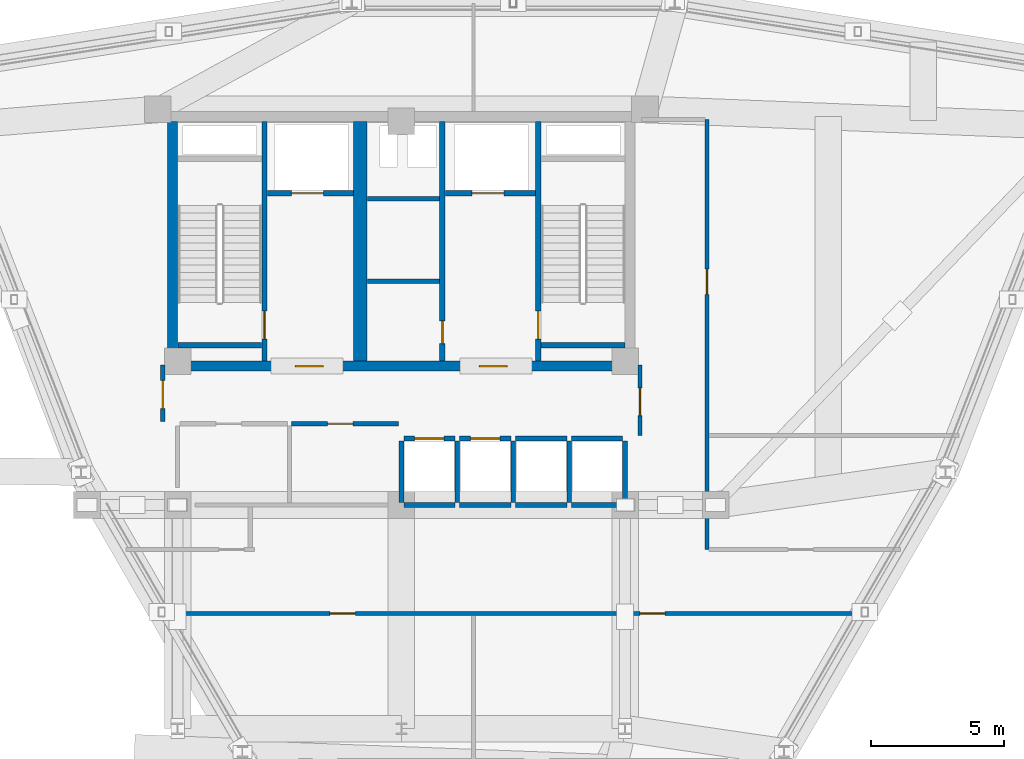
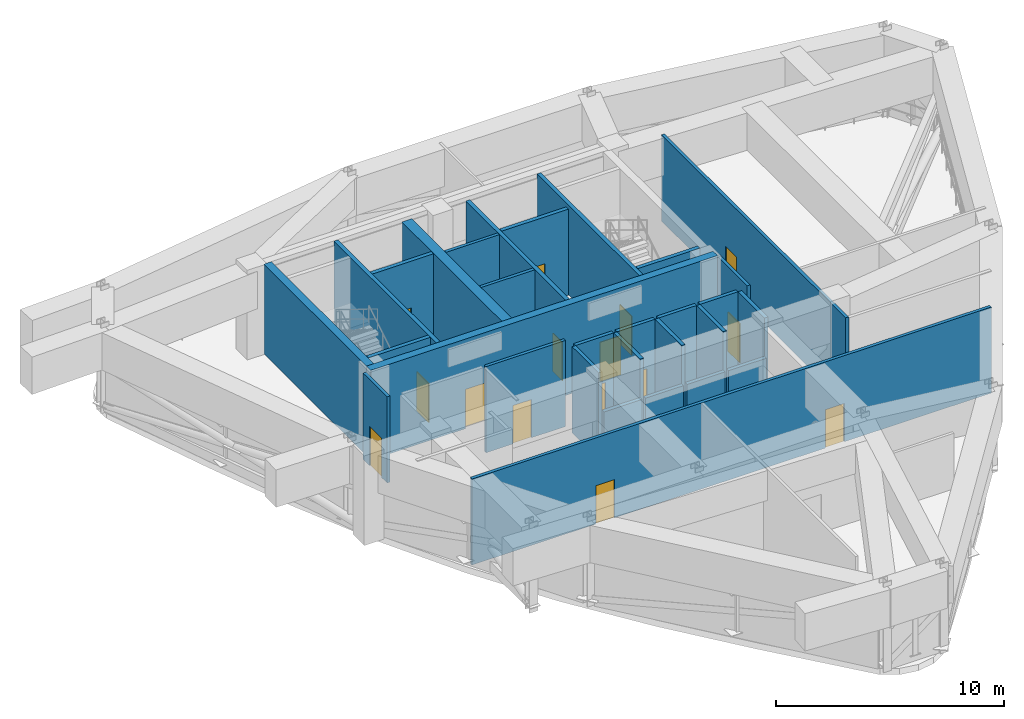
# One storey, part 8 of 11: 30 walls, 15 doors, 15 openings.
"""IFC4 building model written with IfcOpenShell, lengths in metres."""

from ifc_helpers import new_model, si_unit, derived_unit, direction, frame, frame_2d, origin, place, context, subcontext, project, spatial, rectangle, extrude, material, layer, layer_set, type_object, element, fill, save


model = new_model("IFC4")

# Units and contexts
model_context = context("Model", 3, precision=1e-05, world=origin(), true_north=direction((0.0, 1.0)))
body_context = subcontext(model_context, "Body", "Model", "MODEL_VIEW")
ifc_project = project(units=[si_unit("LENGTHUNIT", "METRE"), si_unit("AREAUNIT", "SQUARE_METRE"), si_unit("VOLUMEUNIT", "CUBIC_METRE"), si_unit("PLANEANGLEUNIT", "RADIAN"), si_unit("MASSUNIT", "GRAM", prefix="KILO"), derived_unit("THERMALTRANSMITTANCEUNIT", [(si_unit("POWERUNIT", "WATT"), 1), (si_unit("LENGTHUNIT", "METRE"), -2), (si_unit("THERMODYNAMICTEMPERATUREUNIT", "KELVIN"), -1)])], contexts=[model_context])

# Site, building, storey
site_placement = place(None, origin())
site = spatial("IfcSite", under=ifc_project, at=site_placement, CompositionType="ELEMENT")
building_placement = place(site_placement, origin())
building = spatial("IfcBuilding", under=site, at=building_placement, Name="Korsvarv Bourse and Concert Hall", CompositionType="ELEMENT")
storey_placement = place(building_placement, frame((0.0, 0.0, 238.199951171875)))
storey = spatial("IfcBuildingStorey", under=building, at=storey_placement, Name="L62", CompositionType="ELEMENT", Elevation=238.199951171875)

# Wall, openings, doors
ifc_material_1 = material(Name="Concrete C50/60", Category="concrete")
ifc_layer_1 = layer(ifc_material_1, 0.3798828125)
ifc_layer_set_1 = layer_set([ifc_layer_1], Name="Concrete C50/60")
wall_type_1 = type_object("IfcWallType", Name="WL-CORE-380", PredefinedType="SHEAR", material=ifc_layer_set_1)
wall_1_placement = place(storey_placement, frame((27.219970703125, 37.610107421875, 0.0), z_axis=(0.0, 0.0, 1.0), x_axis=(1.0, 0.0, 0.0)))
wall_1 = element("IfcWall", 1, at=wall_1_placement, inside=storey, type_object=wall_type_1, Name="L62 South Core Shear Wall", PredefinedType="SHEAR", context=body_context, shape_type="SweptSolid", body=[
    extrude(rectangle(XDim=17.56005859375, YDim=0.3798828125, at=frame_2d((8.780029296875, 0.0))), origin(), (0.0, 0.0, 1.0), 4.800048828125),
])
opening_1_placement = place(wall_1_placement, frame((4.804931640625, 0.0, 0.0)))
opening_1 = element("IfcOpeningElement", 2, at=opening_1_placement, cuts=wall_1, Name="Opening D-01", PredefinedType="OPENING", context=body_context, shape_type="SweptSolid", body=[
    extrude(rectangle(XDim=1.050048828125, YDim=2.10009765625, at=frame_2d((0.52490234375, 1.050048828125))), frame((0.0, 0.199951171875, 0.0), z_axis=(0.0, -1.0, 0.0), x_axis=(1.0, 0.0, 0.0)), (0.0, 0.0, 1.0), 0.39990234375),
])
opening_2_placement = place(wall_1_placement, frame((11.705078125, 0.0, 0.0)))
opening_2 = element("IfcOpeningElement", 3, at=opening_2_placement, cuts=wall_1, Name="Opening D-01", PredefinedType="OPENING", context=body_context, shape_type="SweptSolid", body=[
    extrude(rectangle(XDim=1.050048828125, YDim=2.10009765625, at=frame_2d((0.52490234375, 1.050048828125))), frame((0.0, 0.199951171875, 0.0), z_axis=(0.0, -1.0, 0.0), x_axis=(1.0, 0.0, 0.0)), (0.0, 0.0, 1.0), 0.39990234375),
])
ifc_material_2 = material(Name="Steel S355 fire door", Category="steel")
door_type_1 = type_object("IfcDoorType", Name="DR-FD60", OperationType="NOTDEFINED", PredefinedType="DOOR", material=ifc_material_2)
door_1_placement = place(opening_1_placement, frame((1.050048828125, 0.0, 0.0), z_axis=(0.0, 0.0, 1.0), x_axis=(-1.0, 0.0, 0.0)))
door_1 = element("IfcDoor", 4, at=door_1_placement, inside=storey, type_object=door_type_1, Name="L62 firefighting lobby fire door DR-L62-FFLW", OperationType="SINGLE_SWING_RIGHT", OverallHeight=2.10009765625, OverallWidth=1.050048828125, PredefinedType="DOOR", context=body_context, shape_type="SweptSolid", body=[
    extrude(rectangle(XDim=1.050048828125, YDim=2.10009765625, at=frame_2d((0.52490234375, 1.050048828125))), frame((0.0, 0.02490234375, 0.0), z_axis=(0.0, -1.0, 0.0), x_axis=(1.0, 0.0, 0.0)), (0.0, 0.0, 1.0), 0.050048828125),
])
fill(opening_1, door_1)
door_2_placement = place(opening_2_placement, frame((1.050048828125, 0.0, 0.0), z_axis=(0.0, 0.0, 1.0), x_axis=(-1.0, 0.0, 0.0)))
door_2 = element("IfcDoor", 5, at=door_2_placement, inside=storey, type_object=door_type_1, Name="L62 firefighting lobby fire door DR-L62-FFLE", OperationType="SINGLE_SWING_LEFT", OverallHeight=2.10009765625, OverallWidth=1.050048828125, PredefinedType="DOOR", context=body_context, shape_type="SweptSolid", body=[
    extrude(rectangle(XDim=1.050048828125, YDim=2.10009765625, at=frame_2d((0.52490234375, 1.050048828125))), frame((0.0, 0.02490234375, 0.0), z_axis=(0.0, -1.0, 0.0), x_axis=(1.0, 0.0, 0.0)), (0.0, 0.0, 1.0), 0.050048828125),
])
fill(opening_2, door_2)

# Wall
wall_2_placement = place(storey_placement, frame((27.409912109375, 37.800048828125, 0.0), z_axis=(0.0, 0.0, 1.0), x_axis=(0.0, 1.0, 0.0)))
element("IfcWall", 6, at=wall_2_placement, inside=storey, type_object=wall_type_1, Name="L62 West Core Shear Wall", PredefinedType="SHEAR", context=body_context, shape_type="SweptSolid", body=[
    extrude(rectangle(XDim=9.0, YDim=0.3798828125, at=frame_2d((4.5, 0.0))), origin(), (0.0, 0.0, 1.0), 4.800048828125),
])

# Wall, opening, door
wall_3_placement = place(storey_placement, frame((30.860107421875, 37.81005859375, 0.0), z_axis=(0.0, 0.0, 1.0), x_axis=(0.0, 1.0, 0.0)))
wall_3 = element("IfcWall", 7, at=wall_3_placement, inside=storey, type_object=wall_type_1, Name="L62 stair shaft structural wall W-L62-ST1-E", PredefinedType="SHEAR", context=body_context, shape_type="SweptSolid", body=[
    extrude(rectangle(XDim=8.97998046875, YDim=0.199951171875, at=frame_2d((4.489990234375, 0.0))), origin(), (0.0, 0.0, 1.0), 4.800048828125),
])
opening_3_placement = place(wall_3_placement, frame((0.820068359375, 0.0, 0.0)))
opening_3 = element("IfcOpeningElement", 8, at=opening_3_placement, cuts=wall_3, Name="Opening D-01", PredefinedType="OPENING", context=body_context, shape_type="SweptSolid", body=[
    extrude(rectangle(XDim=1.050048828125, YDim=2.10009765625, at=frame_2d((0.52490234375, 1.050048828125))), frame((0.0, 0.10986328125, 0.0), z_axis=(0.0, -1.0, 0.0), x_axis=(1.0, 0.0, 0.0)), (0.0, 0.0, 1.0), 0.219970703125),
])
door_3_placement = place(opening_3_placement, origin())
door_3 = element("IfcDoor", 9, at=door_3_placement, inside=storey, type_object=door_type_1, Name="L62 interior door DR-L62-ST1", OperationType="SINGLE_SWING_RIGHT", OverallHeight=2.10009765625, OverallWidth=1.050048828125, PredefinedType="DOOR", context=body_context, shape_type="SweptSolid", body=[
    extrude(rectangle(XDim=1.050048828125, YDim=2.10009765625, at=frame_2d((0.52490234375, 1.050048828125))), frame((0.0, 0.02490234375, 0.0), z_axis=(0.0, -1.0, 0.0), x_axis=(1.0, 0.0, 0.0)), (0.0, 0.0, 1.0), 0.050048828125),
])
fill(opening_3, door_3)

# Wall
wall_4_placement = place(storey_placement, frame((27.610107421875, 38.39990234375, 0.0), z_axis=(0.0, 0.0, 1.0), x_axis=(1.0, 0.0, 0.0)))
element("IfcWall", 10, at=wall_4_placement, inside=storey, type_object=wall_type_1, Name="L62 stair shaft structural wall W-L62-ST1-S", PredefinedType="SHEAR", context=body_context, shape_type="SweptSolid", body=[
    extrude(rectangle(XDim=3.139892578125, YDim=0.199951171875, at=frame_2d((1.56982421875, 0.0))), origin(), (0.0, 0.0, 1.0), 4.800048828125),
])

# Wall, opening, door
wall_5_placement = place(storey_placement, frame((41.139892578125, 37.81005859375, 0.0), z_axis=(0.0, 0.0, 1.0), x_axis=(0.0, 1.0, 0.0)))
wall_5 = element("IfcWall", 11, at=wall_5_placement, inside=storey, type_object=wall_type_1, Name="L62 stair shaft structural wall W-L62-ST2-W", PredefinedType="SHEAR", context=body_context, shape_type="SweptSolid", body=[
    extrude(rectangle(XDim=8.97998046875, YDim=0.199951171875, at=frame_2d((4.489990234375, 0.0))), origin(), (0.0, 0.0, 1.0), 4.800048828125),
])
opening_4_placement = place(wall_5_placement, frame((0.820068359375, 0.0, 0.0)))
opening_4 = element("IfcOpeningElement", 12, at=opening_4_placement, cuts=wall_5, Name="Opening D-01", PredefinedType="OPENING", context=body_context, shape_type="SweptSolid", body=[
    extrude(rectangle(XDim=1.050048828125, YDim=2.10009765625, at=frame_2d((0.52490234375, 1.050048828125))), frame((0.0, 0.10986328125, 0.0), z_axis=(0.0, -1.0, 0.0), x_axis=(1.0, 0.0, 0.0)), (0.0, 0.0, 1.0), 0.219970703125),
])
door_4_placement = place(opening_4_placement, frame((1.050048828125, 0.0, 0.0), z_axis=(0.0, 0.0, 1.0), x_axis=(-1.0, 0.0, 0.0)))
door_4 = element("IfcDoor", 13, at=door_4_placement, inside=storey, type_object=door_type_1, Name="L62 interior door DR-L62-ST2", OperationType="SINGLE_SWING_LEFT", OverallHeight=2.10009765625, OverallWidth=1.050048828125, PredefinedType="DOOR", context=body_context, shape_type="SweptSolid", body=[
    extrude(rectangle(XDim=1.050048828125, YDim=2.10009765625, at=frame_2d((0.52490234375, 1.050048828125))), frame((0.0, 0.02490234375, 0.0), z_axis=(0.0, -1.0, 0.0), x_axis=(1.0, 0.0, 0.0)), (0.0, 0.0, 1.0), 0.050048828125),
])
fill(opening_4, door_4)

# Wall
wall_6_placement = place(storey_placement, frame((41.25, 38.39990234375, 0.0), z_axis=(0.0, 0.0, 1.0), x_axis=(1.0, 0.0, 0.0)))
element("IfcWall", 14, at=wall_6_placement, inside=storey, type_object=wall_type_1, Name="L62 stair shaft structural wall W-L62-ST2-S", PredefinedType="SHEAR", context=body_context, shape_type="SweptSolid", body=[
    extrude(rectangle(XDim=3.139892578125, YDim=0.199951171875, at=frame_2d((1.56982421875, 0.0))), origin(), (0.0, 0.0, 1.0), 4.800048828125),
])

# Wall, opening, door
ifc_material_3 = material(Name="Reinforced concrete blockwork C35/45 fire wall", Category="concrete")
ifc_layer_2 = layer(ifc_material_3, 0.199951171875)
ifc_layer_set_2 = layer_set([ifc_layer_2], Name="Reinforced concrete blockwork C35/45 fire wall")
wall_type_2 = type_object("IfcWallType", Name="WL-INT-EI120", PredefinedType="PARTITIONING", material=ifc_layer_set_2)
wall_7_placement = place(storey_placement, frame((30.969970703125, 44.10009765625, 0.0), z_axis=(0.0, 0.0, 1.0), x_axis=(1.0, 0.0, 0.0)))
wall_7 = element("IfcWall", 15, at=wall_7_placement, inside=storey, type_object=wall_type_2, Name="L62 interior partition wall W-L62-FF1-S", PredefinedType="PARTITIONING", context=body_context, shape_type="SweptSolid", body=[
    extrude(rectangle(XDim=3.22998046875, YDim=0.199951171875, at=frame_2d((1.614990234375, 0.0))), origin(), (0.0, 0.0, 1.0), 4.610107421875),
])
opening_5_placement = place(wall_7_placement, frame((0.89990234375, 0.0, 0.0)))
opening_5 = element("IfcOpeningElement", 16, at=opening_5_placement, cuts=wall_7, Name="Opening LD-1", PredefinedType="OPENING", context=body_context, shape_type="SweptSolid", body=[
    extrude(rectangle(XDim=1.199951171875, YDim=2.10009765625, at=frame_2d((0.60009765625, 1.050048828125))), frame((0.0, 0.10986328125, 0.0), z_axis=(0.0, -1.0, 0.0), x_axis=(1.0, 0.0, 0.0)), (0.0, 0.0, 1.0), 0.219970703125),
])
ifc_material_4 = material(Name="Stainless Steel S355 firefighting lift landing door", Category="steel")
door_type_2 = type_object("IfcDoorType", Name="DR-LIFT-FF", OperationType="DOUBLE_DOOR_SLIDING", PredefinedType="DOOR", material=ifc_material_4)
door_5_placement = place(opening_5_placement, origin())
door_5 = element("IfcDoor", 17, at=door_5_placement, inside=storey, type_object=door_type_2, Name="L62 lift sliding landing door LD-L62-FF1", OperationType="DOUBLE_DOOR_SLIDING", OverallHeight=2.10009765625, OverallWidth=1.199951171875, PredefinedType="DOOR", context=body_context, shape_type="SweptSolid", body=[
    extrude(rectangle(XDim=1.199951171875, YDim=2.10009765625, at=frame_2d((0.60009765625, 1.050048828125))), frame((0.0, 0.02490234375, 0.0), z_axis=(0.0, -1.0, 0.0), x_axis=(1.0, 0.0, 0.0)), (0.0, 0.0, 1.0), 0.050048828125),
])
fill(opening_5, door_5)

wall_8_placement = place(storey_placement, frame((37.64990234375, 44.10009765625, 0.0), z_axis=(0.0, 0.0, 1.0), x_axis=(1.0, 0.0, 0.0)))
wall_8 = element("IfcWall", 18, at=wall_8_placement, inside=storey, type_object=wall_type_2, Name="L62 interior partition wall W-L62-FF2-S", PredefinedType="PARTITIONING", context=body_context, shape_type="SweptSolid", body=[
    extrude(rectangle(XDim=3.380126953125, YDim=0.199951171875, at=frame_2d((1.68994140625, 0.0))), origin(), (0.0, 0.0, 1.0), 4.610107421875),
])
opening_6_placement = place(wall_8_placement, frame((1.0, 0.0, 0.0)))
opening_6 = element("IfcOpeningElement", 19, at=opening_6_placement, cuts=wall_8, Name="Opening LD-1", PredefinedType="OPENING", context=body_context, shape_type="SweptSolid", body=[
    extrude(rectangle(XDim=1.199951171875, YDim=2.10009765625, at=frame_2d((0.60009765625, 1.050048828125))), frame((0.0, 0.10986328125, 0.0), z_axis=(0.0, -1.0, 0.0), x_axis=(1.0, 0.0, 0.0)), (0.0, 0.0, 1.0), 0.219970703125),
])
door_6_placement = place(opening_6_placement, origin())
door_6 = element("IfcDoor", 20, at=door_6_placement, inside=storey, type_object=door_type_2, Name="L62 lift sliding landing door LD-L62-FF2", OperationType="DOUBLE_DOOR_SLIDING", OverallHeight=2.10009765625, OverallWidth=1.199951171875, PredefinedType="DOOR", context=body_context, shape_type="SweptSolid", body=[
    extrude(rectangle(XDim=1.199951171875, YDim=2.10009765625, at=frame_2d((0.60009765625, 1.050048828125))), frame((0.0, 0.02490234375, 0.0), z_axis=(0.0, -1.0, 0.0), x_axis=(1.0, 0.0, 0.0)), (0.0, 0.0, 1.0), 0.050048828125),
])
fill(opening_6, door_6)

wall_9_placement = place(storey_placement, frame((37.5400390625, 37.81005859375, 0.0), z_axis=(0.0, 0.0, 1.0), x_axis=(0.0, 1.0, 0.0)))
wall_9 = element("IfcWall", 21, at=wall_9_placement, inside=storey, type_object=wall_type_2, Name="L62 interior partition wall W-L62-CSB-E", PredefinedType="PARTITIONING", context=body_context, shape_type="SweptSolid", body=[
    extrude(rectangle(XDim=8.97998046875, YDim=0.199951171875, at=frame_2d((4.489990234375, 0.0))), origin(), (0.0, 0.0, 1.0), 4.610107421875),
])
opening_7_placement = place(wall_9_placement, frame((0.64990234375, 0.0, 0.0)))
opening_7 = element("IfcOpeningElement", 22, at=opening_7_placement, cuts=wall_9, Name="Opening D-05", PredefinedType="OPENING", context=body_context, shape_type="SweptSolid", body=[
    extrude(rectangle(XDim=0.85009765625, YDim=2.050048828125, at=frame_2d((0.425048828125, 1.02490234375))), frame((0.0, 0.10986328125, 0.0), z_axis=(0.0, -1.0, 0.0), x_axis=(1.0, 0.0, 0.0)), (0.0, 0.0, 1.0), 0.219970703125),
])
door_type_3 = type_object("IfcDoorType", Name="DR-FD60-850X2050", OperationType="NOTDEFINED", PredefinedType="DOOR", material=ifc_material_2)
door_7_placement = place(opening_7_placement, origin())
door_7 = element("IfcDoor", 23, at=door_7_placement, inside=storey, type_object=door_type_3, Name="L62 interior door DR-L62-CSB2", OperationType="SINGLE_SWING_RIGHT", OverallHeight=2.050048828125, OverallWidth=0.85009765625, PredefinedType="DOOR", context=body_context, shape_type="SweptSolid", body=[
    extrude(rectangle(XDim=0.85009765625, YDim=2.050048828125, at=frame_2d((0.425048828125, 1.02490234375))), frame((0.0, 0.02490234375, 0.0), z_axis=(0.0, -1.0, 0.0), x_axis=(1.0, 0.0, 0.0)), (0.0, 0.0, 1.0), 0.050048828125),
])
fill(opening_7, door_7)

# Walls
ifc_material_5 = material(Name="Double-stud fire-rated acoustic partition", Category="gypsum")
ifc_layer_3 = layer(ifc_material_5, 0.159912109375)
ifc_layer_set_3 = layer_set([ifc_layer_3], Name="Double-stud fire-rated acoustic partition")
wall_type_3 = type_object("IfcWallType", Name="WL-INT-EI60", PredefinedType="PARTITIONING", material=ifc_layer_set_3)
for number, where, z_axis, x_axis, name in (
    (24, (34.719970703125, 40.800048828125, 0.0), (0.0, 0.0, 1.0), (1.0, 0.0, 0.0), "L62 interior partition wall W-L62-K1"),
    (25, (34.719970703125, 43.89990234375, 0.0), (0.0, 0.0, 1.0), (1.0, 0.0, 0.0), "L62 interior partition wall W-L62-K2"),
):
    element("IfcWall", number, at=place(storey_placement, frame(where, z_axis=z_axis, x_axis=x_axis)), inside=storey, type_object=wall_type_3, Name=name, PredefinedType="PARTITIONING", context=body_context, shape_type="SweptSolid", body=[
        extrude(rectangle(XDim=2.7099609375, YDim=0.159912109375, at=frame_2d((1.35498046875, 0.0))), origin(), (0.0, 0.0, 1.0), 4.610107421875),
    ])

# Wall, opening, door
wall_10_placement = place(storey_placement, frame((31.8798828125, 35.449951171875, 0.0), z_axis=(0.0, 0.0, 1.0), x_axis=(1.0, 0.0, 0.0)))
wall_10 = element("IfcWall", 26, at=wall_10_placement, inside=storey, type_object=wall_type_3, Name="L62 interior partition wall W-L62-FRD-N2", PredefinedType="PARTITIONING", context=body_context, shape_type="SweptSolid", body=[
    extrude(rectangle(XDim=4.02001953125, YDim=0.159912109375, at=frame_2d((2.010009765625, 0.0))), origin(), (0.0, 0.0, 1.0), 4.610107421875),
])
opening_8_placement = place(wall_10_placement, frame((1.35009765625, 0.0, 0.0)))
opening_8 = element("IfcOpeningElement", 27, at=opening_8_placement, cuts=wall_10, Name="Opening D-03", PredefinedType="OPENING", context=body_context, shape_type="SweptSolid", body=[
    extrude(rectangle(XDim=0.949951171875, YDim=2.050048828125, at=frame_2d((0.47509765625, 1.02490234375))), frame((0.0, 0.08984375, 0.0), z_axis=(0.0, -1.0, 0.0), x_axis=(1.0, 0.0, 0.0)), (0.0, 0.0, 1.0), 0.179931640625),
])
ifc_material_6 = material(Name="Nordic oak acoustic office door", Category="wood")
door_type_4 = type_object("IfcDoorType", Name="DR-INT-1", OperationType="NOTDEFINED", PredefinedType="DOOR", material=ifc_material_6)
door_8_placement = place(opening_8_placement, origin())
door_8 = element("IfcDoor", 28, at=door_8_placement, inside=storey, type_object=door_type_4, Name="L62 interior door DR-L62-FRDN2", OperationType="SINGLE_SWING_RIGHT", OverallHeight=2.050048828125, OverallWidth=0.949951171875, PredefinedType="DOOR", context=body_context, shape_type="SweptSolid", body=[
    extrude(rectangle(XDim=0.949951171875, YDim=2.050048828125, at=frame_2d((0.47509765625, 1.02490234375))), frame((0.0, 0.02490234375, 0.0), z_axis=(0.0, -1.0, 0.0), x_axis=(1.0, 0.0, 0.0)), (0.0, 0.0, 1.0), 0.050048828125),
])
fill(opening_8, door_8)

wall_11_placement = place(storey_placement, frame((27.0400390625, 35.5400390625, 0.0), z_axis=(0.0, 0.0, 1.0), x_axis=(0.0, 1.0, 0.0)))
wall_11 = element("IfcWall", 29, at=wall_11_placement, inside=storey, type_object=wall_type_3, Name="L62 interior partition wall W-L62-LOB-WL", PredefinedType="PARTITIONING", context=body_context, shape_type="SweptSolid", body=[
    extrude(rectangle(XDim=2.10986328125, YDim=0.159912109375, at=frame_2d((1.054931640625, 0.0))), origin(), (0.0, 0.0, 1.0), 4.610107421875),
])
opening_9_placement = place(wall_11_placement, frame((0.47998046875, 0.0, 0.0)))
opening_9 = element("IfcOpeningElement", 30, at=opening_9_placement, cuts=wall_11, Name="Opening D-01", PredefinedType="OPENING", context=body_context, shape_type="SweptSolid", body=[
    extrude(rectangle(XDim=1.050048828125, YDim=2.10009765625, at=frame_2d((0.52490234375, 1.050048828125))), frame((0.0, 0.08984375, 0.0), z_axis=(0.0, -1.0, 0.0), x_axis=(1.0, 0.0, 0.0)), (0.0, 0.0, 1.0), 0.179931640625),
])
door_9_placement = place(opening_9_placement, frame((1.050048828125, 0.0, 0.0), z_axis=(0.0, 0.0, 1.0), x_axis=(-1.0, 0.0, 0.0)))
door_9 = element("IfcDoor", 31, at=door_9_placement, inside=storey, type_object=door_type_1, Name="L62 interior door DR-L62-LOBW", OperationType="SINGLE_SWING_LEFT", OverallHeight=2.10009765625, OverallWidth=1.050048828125, PredefinedType="DOOR", context=body_context, shape_type="SweptSolid", body=[
    extrude(rectangle(XDim=1.050048828125, YDim=2.10009765625, at=frame_2d((0.52490234375, 1.050048828125))), frame((0.0, 0.02490234375, 0.0), z_axis=(0.0, -1.0, 0.0), x_axis=(1.0, 0.0, 0.0)), (0.0, 0.0, 1.0), 0.050048828125),
])
fill(opening_9, door_9)

wall_12_placement = place(storey_placement, frame((44.9599609375, 35.0, 0.0), z_axis=(0.0, 0.0, 1.0), x_axis=(0.0, 1.0, 0.0)))
wall_12 = element("IfcWall", 32, at=wall_12_placement, inside=storey, type_object=wall_type_3, Name="L62 interior partition wall W-L62-LOB-E", PredefinedType="PARTITIONING", context=body_context, shape_type="SweptSolid", body=[
    extrude(rectangle(XDim=2.64990234375, YDim=0.159912109375, at=frame_2d((1.324951171875, 0.0))), origin(), (0.0, 0.0, 1.0), 4.610107421875),
])
opening_10_placement = place(wall_12_placement, frame((0.75, 0.0, 0.0)))
opening_10 = element("IfcOpeningElement", 33, at=opening_10_placement, cuts=wall_12, Name="Opening D-01", PredefinedType="OPENING", context=body_context, shape_type="SweptSolid", body=[
    extrude(rectangle(XDim=1.050048828125, YDim=2.10009765625, at=frame_2d((0.52490234375, 1.050048828125))), frame((0.0, 0.08984375, 0.0), z_axis=(0.0, -1.0, 0.0), x_axis=(1.0, 0.0, 0.0)), (0.0, 0.0, 1.0), 0.179931640625),
])
door_10_placement = place(opening_10_placement, origin())
door_10 = element("IfcDoor", 34, at=door_10_placement, inside=storey, type_object=door_type_1, Name="L62 interior door DR-L62-LOBE", OperationType="SINGLE_SWING_RIGHT", OverallHeight=2.10009765625, OverallWidth=1.050048828125, PredefinedType="DOOR", context=body_context, shape_type="SweptSolid", body=[
    extrude(rectangle(XDim=1.050048828125, YDim=2.10009765625, at=frame_2d((0.52490234375, 1.050048828125))), frame((0.0, 0.02490234375, 0.0), z_axis=(0.0, -1.0, 0.0), x_axis=(1.0, 0.0, 0.0)), (0.0, 0.0, 1.0), 0.050048828125),
])
fill(opening_10, door_10)

# Wall, openings, doors
wall_13_placement = place(storey_placement, frame((27.05224609375, 28.324951171875, 0.0), z_axis=(0.0, 0.0, 1.0), x_axis=(1.0, 0.0, 0.0)))
wall_13 = element("IfcWall", 35, at=wall_13_placement, inside=storey, type_object=wall_type_3, Name="L62 interior partition wall W-L62-RCOR-01", PredefinedType="PARTITIONING", context=body_context, shape_type="SweptSolid", body=[
    extrude(rectangle(XDim=26.295654296875, YDim=0.159912109375, at=frame_2d((13.14794921875, 0.0))), origin(), (0.0, 0.0, 1.0), 4.610107421875),
])
opening_11_placement = place(wall_13_placement, frame((6.268310546875, 0.0, 0.0)))
opening_11 = element("IfcOpeningElement", 36, at=opening_11_placement, cuts=wall_13, Name="Opening D-02", PredefinedType="OPENING", context=body_context, shape_type="SweptSolid", body=[
    extrude(rectangle(XDim=0.949951171875, YDim=2.050048828125, at=frame_2d((0.47509765625, 1.02490234375))), frame((0.0, 0.08984375, 0.0), z_axis=(0.0, -1.0, 0.0), x_axis=(1.0, 0.0, 0.0)), (0.0, 0.0, 1.0), 0.179931640625),
])
opening_12_placement = place(wall_13_placement, frame((17.898681640625, 0.0, 0.0)))
opening_12 = element("IfcOpeningElement", 37, at=opening_12_placement, cuts=wall_13, Name="Opening D-02", PredefinedType="OPENING", context=body_context, shape_type="SweptSolid", body=[
    extrude(rectangle(XDim=0.949951171875, YDim=2.050048828125, at=frame_2d((0.47509765625, 1.02490234375))), frame((0.0, 0.08984375, 0.0), z_axis=(0.0, -1.0, 0.0), x_axis=(1.0, 0.0, 0.0)), (0.0, 0.0, 1.0), 0.179931640625),
])
ifc_material_7 = material(Name="Timber and steel acoustic fire door", Category="wood")
door_type_5 = type_object("IfcDoorType", Name="DR-FD30", OperationType="NOTDEFINED", PredefinedType="DOOR", material=ifc_material_7)
door_11_placement = place(opening_11_placement, origin())
door_11 = element("IfcDoor", 38, at=door_11_placement, inside=storey, type_object=door_type_5, Name="L62 interior door DR-L62-RCOR-PL16", OperationType="SINGLE_SWING_LEFT", OverallHeight=2.050048828125, OverallWidth=0.949951171875, PredefinedType="DOOR", context=body_context, shape_type="SweptSolid", body=[
    extrude(rectangle(XDim=0.949951171875, YDim=2.050048828125, at=frame_2d((0.47509765625, 1.02490234375))), frame((0.0, 0.02490234375, 0.0), z_axis=(0.0, -1.0, 0.0), x_axis=(1.0, 0.0, 0.0)), (0.0, 0.0, 1.0), 0.050048828125),
])
fill(opening_11, door_11)
door_12_placement = place(opening_12_placement, origin())
door_12 = element("IfcDoor", 39, at=door_12_placement, inside=storey, type_object=door_type_5, Name="L62 interior door DR-L62-RCOR-PL57", OperationType="SINGLE_SWING_RIGHT", OverallHeight=2.050048828125, OverallWidth=0.949951171875, PredefinedType="DOOR", context=body_context, shape_type="SweptSolid", body=[
    extrude(rectangle(XDim=0.949951171875, YDim=2.050048828125, at=frame_2d((0.47509765625, 1.02490234375))), frame((0.0, 0.02490234375, 0.0), z_axis=(0.0, -1.0, 0.0), x_axis=(1.0, 0.0, 0.0)), (0.0, 0.0, 1.0), 0.050048828125),
])
fill(opening_12, door_12)

# Wall, opening, door
wall_14_placement = place(storey_placement, frame((47.47509765625, 30.719970703125, 0.0), z_axis=(0.0, 0.0, 1.0), x_axis=(0.0, 1.0, 0.0)))
wall_14 = element("IfcWall", 40, at=wall_14_placement, inside=storey, type_object=wall_type_3, Name="L62 interior partition wall W-L62-RCOR-02", PredefinedType="PARTITIONING", context=body_context, shape_type="SweptSolid", body=[
    extrude(rectangle(XDim=16.159912109375, YDim=0.159912109375, at=frame_2d((8.080078125, 0.0))), origin(), (0.0, 0.0, 1.0), 4.610107421875),
])
opening_13_placement = place(wall_14_placement, frame((9.583984375, 0.0, 0.0)))
opening_13 = element("IfcOpeningElement", 41, at=opening_13_placement, cuts=wall_14, Name="Opening D-02", PredefinedType="OPENING", context=body_context, shape_type="SweptSolid", body=[
    extrude(rectangle(XDim=0.949951171875, YDim=2.050048828125, at=frame_2d((0.47509765625, 1.02490234375))), frame((0.0, 0.08984375, 0.0), z_axis=(0.0, -1.0, 0.0), x_axis=(1.0, 0.0, 0.0)), (0.0, 0.0, 1.0), 0.179931640625),
])
door_13_placement = place(opening_13_placement, origin())
door_13 = element("IfcDoor", 42, at=door_13_placement, inside=storey, type_object=door_type_5, Name="L62 interior door DR-L62-RCOR-REFE3", OperationType="SINGLE_SWING_LEFT", OverallHeight=2.050048828125, OverallWidth=0.949951171875, PredefinedType="DOOR", context=body_context, shape_type="SweptSolid", body=[
    extrude(rectangle(XDim=0.949951171875, YDim=2.050048828125, at=frame_2d((0.47509765625, 1.02490234375))), frame((0.0, 0.02490234375, 0.0), z_axis=(0.0, -1.0, 0.0), x_axis=(1.0, 0.0, 0.0)), (0.0, 0.0, 1.0), 0.050048828125),
])
fill(opening_13, door_13)

ifc_material_8 = material(Name="Gypsum-clad autoclaved concrete shaft wall C30/37", Category="concrete")
ifc_layer_4 = layer(ifc_material_8, 0.179931640625)
ifc_layer_set_4 = layer_set([ifc_layer_4], Name="Gypsum-clad autoclaved concrete shaft wall C30/37")
wall_type_4 = type_object("IfcWallType", Name="WL-INT-EI90", PredefinedType="PARTITIONING", material=ifc_layer_set_4)
wall_15_placement = place(storey_placement, frame((36.090087890625, 34.89990234375, 0.0), z_axis=(0.0, 0.0, 1.0), x_axis=(1.0, 0.0, 0.0)))
wall_15 = element("IfcWall", 43, at=wall_15_placement, inside=storey, type_object=wall_type_4, Name="L62 interior partition wall W-L62-SHFN-PH1", PredefinedType="PARTITIONING", context=body_context, shape_type="SweptSolid", body=[
    extrude(rectangle(XDim=1.919921875, YDim=0.179931640625, at=frame_2d((0.9599609375, 0.0))), origin(), (0.0, 0.0, 1.0), 4.610107421875),
])
opening_14_placement = place(wall_15_placement, frame((0.409912109375, 0.0, 0.0)))
opening_14 = element("IfcOpeningElement", 44, at=opening_14_placement, cuts=wall_15, Name="Opening LD-2", PredefinedType="OPENING", context=body_context, shape_type="SweptSolid", body=[
    extrude(rectangle(XDim=1.10009765625, YDim=2.10009765625, at=frame_2d((0.550048828125, 1.050048828125))), frame((0.0, 0.10009765625, 0.0), z_axis=(0.0, -1.0, 0.0), x_axis=(1.0, 0.0, 0.0)), (0.0, 0.0, 1.0), 0.199951171875),
])
ifc_material_9 = material(Name="Brushed stainless Steel S355 lift landing door", Category="steel")
door_type_6 = type_object("IfcDoorType", Name="DR-LIFT-P", OperationType="DOUBLE_DOOR_SLIDING", PredefinedType="DOOR", material=ifc_material_9)
door_14_placement = place(opening_14_placement, origin())
door_14 = element("IfcDoor", 45, at=door_14_placement, inside=storey, type_object=door_type_6, Name="L62 lift sliding landing door LD-L62-PH1", OperationType="DOUBLE_DOOR_SLIDING", OverallHeight=2.10009765625, OverallWidth=1.10009765625, PredefinedType="DOOR", context=body_context, shape_type="SweptSolid", body=[
    extrude(rectangle(XDim=1.10009765625, YDim=2.10009765625, at=frame_2d((0.550048828125, 1.050048828125))), frame((0.0, 0.02490234375, 0.0), z_axis=(0.0, -1.0, 0.0), x_axis=(1.0, 0.0, 0.0)), (0.0, 0.0, 1.0), 0.050048828125),
])
fill(opening_14, door_14)

# Walls
wall_16_placement = place(storey_placement, frame((36.090087890625, 32.39990234375, 0.0), z_axis=(0.0, 0.0, 1.0), x_axis=(1.0, 0.0, 0.0)))
element("IfcWall", 46, at=wall_16_placement, inside=storey, type_object=wall_type_4, Name="L62 interior partition wall W-L62-SHFS-PH1", PredefinedType="PARTITIONING", context=body_context, shape_type="SweptSolid", body=[
    extrude(rectangle(XDim=1.919921875, YDim=0.179931640625, at=frame_2d((0.9599609375, 0.0))), origin(), (0.0, 0.0, 1.0), 2.570068359375),
])
wall_17_placement = place(storey_placement, frame((36.0, 32.489990234375, 0.0), z_axis=(0.0, 0.0, 1.0), x_axis=(0.0, 1.0, 0.0)))
element("IfcWall", 47, at=wall_17_placement, inside=storey, type_object=wall_type_4, Name="L62 interior partition wall W-L62-SHFW-PH1", PredefinedType="PARTITIONING", context=body_context, shape_type="SweptSolid", body=[
    extrude(rectangle(XDim=2.320068359375, YDim=0.179931640625, at=frame_2d((1.16015625, 0.0))), origin(), (0.0, 0.0, 1.0), 4.610107421875),
])

# Wall, opening, door
wall_18_placement = place(storey_placement, frame((38.18994140625, 34.89990234375, 0.0), z_axis=(0.0, 0.0, 1.0), x_axis=(1.0, 0.0, 0.0)))
wall_18 = element("IfcWall", 48, at=wall_18_placement, inside=storey, type_object=wall_type_4, Name="L62 interior partition wall W-L62-SHFN-PH2", PredefinedType="PARTITIONING", context=body_context, shape_type="SweptSolid", body=[
    extrude(rectangle(XDim=1.920166015625, YDim=0.179931640625, at=frame_2d((0.9599609375, 0.0))), origin(), (0.0, 0.0, 1.0), 4.610107421875),
])
opening_15_placement = place(wall_18_placement, frame((0.409912109375, 0.0, 0.0)))
opening_15 = element("IfcOpeningElement", 49, at=opening_15_placement, cuts=wall_18, Name="Opening LD-2", PredefinedType="OPENING", context=body_context, shape_type="SweptSolid", body=[
    extrude(rectangle(XDim=1.10009765625, YDim=2.10009765625, at=frame_2d((0.550048828125, 1.050048828125))), frame((0.0, 0.10009765625, 0.0), z_axis=(0.0, -1.0, 0.0), x_axis=(1.0, 0.0, 0.0)), (0.0, 0.0, 1.0), 0.199951171875),
])
door_15_placement = place(opening_15_placement, origin())
door_15 = element("IfcDoor", 50, at=door_15_placement, inside=storey, type_object=door_type_6, Name="L62 lift sliding landing door LD-L62-PH2", OperationType="DOUBLE_DOOR_SLIDING", OverallHeight=2.10009765625, OverallWidth=1.10009765625, PredefinedType="DOOR", context=body_context, shape_type="SweptSolid", body=[
    extrude(rectangle(XDim=1.10009765625, YDim=2.10009765625, at=frame_2d((0.550048828125, 1.050048828125))), frame((0.0, 0.02490234375, 0.0), z_axis=(0.0, -1.0, 0.0), x_axis=(1.0, 0.0, 0.0)), (0.0, 0.0, 1.0), 0.050048828125),
])
fill(opening_15, door_15)

# Walls
wall_19_placement = place(storey_placement, frame((38.18994140625, 32.39990234375, 0.0), z_axis=(0.0, 0.0, 1.0), x_axis=(1.0, 0.0, 0.0)))
element("IfcWall", 51, at=wall_19_placement, inside=storey, type_object=wall_type_4, Name="L62 interior partition wall W-L62-SHFS-PH2", PredefinedType="PARTITIONING", context=body_context, shape_type="SweptSolid", body=[
    extrude(rectangle(XDim=1.920166015625, YDim=0.179931640625, at=frame_2d((0.9599609375, 0.0))), origin(), (0.0, 0.0, 1.0), 2.570068359375),
])
wall_20_placement = place(storey_placement, frame((38.10009765625, 32.489990234375, 0.0), z_axis=(0.0, 0.0, 1.0), x_axis=(0.0, 1.0, 0.0)))
element("IfcWall", 52, at=wall_20_placement, inside=storey, type_object=wall_type_4, Name="L62 interior partition wall W-L62-SHFW-PH2", PredefinedType="PARTITIONING", context=body_context, shape_type="SweptSolid", body=[
    extrude(rectangle(XDim=2.320068359375, YDim=0.179931640625, at=frame_2d((1.16015625, 0.0))), origin(), (0.0, 0.0, 1.0), 4.610107421875),
])
wall_21_placement = place(storey_placement, frame((40.2900390625, 34.89990234375, 0.0), z_axis=(0.0, 0.0, 1.0), x_axis=(1.0, 0.0, 0.0)))
element("IfcWall", 53, at=wall_21_placement, inside=storey, type_object=wall_type_4, Name="L62 interior partition wall W-L62-SHFN-PO1", PredefinedType="PARTITIONING", context=body_context, shape_type="SweptSolid", body=[
    extrude(rectangle(XDim=1.919921875, YDim=0.179931640625, at=frame_2d((0.9599609375, 0.0))), origin(), (0.0, 0.0, 1.0), 4.610107421875),
])
wall_22_placement = place(storey_placement, frame((40.2900390625, 32.39990234375, 0.0), z_axis=(0.0, 0.0, 1.0), x_axis=(1.0, 0.0, 0.0)))
element("IfcWall", 54, at=wall_22_placement, inside=storey, type_object=wall_type_4, Name="L62 interior partition wall W-L62-SHFS-PO1", PredefinedType="PARTITIONING", context=body_context, shape_type="SweptSolid", body=[
    extrude(rectangle(XDim=1.919921875, YDim=0.179931640625, at=frame_2d((0.9599609375, 0.0))), origin(), (0.0, 0.0, 1.0), 2.570068359375),
])
wall_23_placement = place(storey_placement, frame((40.199951171875, 32.489990234375, 0.0), z_axis=(0.0, 0.0, 1.0), x_axis=(0.0, 1.0, 0.0)))
element("IfcWall", 55, at=wall_23_placement, inside=storey, type_object=wall_type_4, Name="L62 interior partition wall W-L62-SHFW-PO1", PredefinedType="PARTITIONING", context=body_context, shape_type="SweptSolid", body=[
    extrude(rectangle(XDim=2.320068359375, YDim=0.179931640625, at=frame_2d((1.16015625, 0.0))), origin(), (0.0, 0.0, 1.0), 4.610107421875),
])
wall_24_placement = place(storey_placement, frame((42.389892578125, 34.89990234375, 0.0), z_axis=(0.0, 0.0, 1.0), x_axis=(1.0, 0.0, 0.0)))
element("IfcWall", 56, at=wall_24_placement, inside=storey, type_object=wall_type_4, Name="L62 interior partition wall W-L62-SHFN-PO2", PredefinedType="PARTITIONING", context=body_context, shape_type="SweptSolid", body=[
    extrude(rectangle(XDim=1.920166015625, YDim=0.179931640625, at=frame_2d((0.9599609375, 0.0))), origin(), (0.0, 0.0, 1.0), 4.610107421875),
])
wall_25_placement = place(storey_placement, frame((42.389892578125, 32.39990234375, 0.0), z_axis=(0.0, 0.0, 1.0), x_axis=(1.0, 0.0, 0.0)))
element("IfcWall", 57, at=wall_25_placement, inside=storey, type_object=wall_type_4, Name="L62 interior partition wall W-L62-SHFS-PO2", PredefinedType="PARTITIONING", context=body_context, shape_type="SweptSolid", body=[
    extrude(rectangle(XDim=1.920166015625, YDim=0.179931640625, at=frame_2d((0.9599609375, 0.0))), origin(), (0.0, 0.0, 1.0), 2.570068359375),
])
for number, where, z_axis, x_axis, name in (
    (58, (42.300048828125, 32.489990234375, 0.0), (0.0, 0.0, 1.0), (0.0, 1.0, 0.0), "L62 interior partition wall W-L62-SHFW-PO2"),
    (59, (44.39990234375, 32.489990234375, 0.0), (0.0, 0.0, 1.0), (0.0, 1.0, 0.0), "L62 interior partition wall W-L62-SHFE-END"),
):
    element("IfcWall", number, at=place(storey_placement, frame(where, z_axis=z_axis, x_axis=x_axis)), inside=storey, type_object=wall_type_4, Name=name, PredefinedType="PARTITIONING", context=body_context, shape_type="SweptSolid", body=[
        extrude(rectangle(XDim=2.320068359375, YDim=0.179931640625, at=frame_2d((1.16015625, 0.0))), origin(), (0.0, 0.0, 1.0), 4.610107421875),
    ])
ifc_material_10 = material(Name="Concrete C60/75", Category="concrete")
ifc_layer_5 = layer(ifc_material_10, 0.5)
ifc_layer_set_5 = layer_set([ifc_layer_5], Name="Concrete C60/75")
wall_type_5 = type_object("IfcWallType", Name="WL-OUTR-500", PredefinedType="SHEAR", material=ifc_layer_set_5)
wall_26_placement = place(storey_placement, frame((34.4599609375, 37.800048828125, 0.0), z_axis=(0.0, 0.0, 1.0), x_axis=(0.0, 1.0, 0.0)))
element("IfcWall", 60, at=wall_26_placement, inside=storey, type_object=wall_type_5, Name="L62 Core Central Outrigger Web Shear Wall", PredefinedType="SHEAR", context=body_context, shape_type="SweptSolid", body=[
    extrude(rectangle(XDim=9.0, YDim=0.5, at=frame_2d((4.5, 0.0))), origin(), (0.0, 0.0, 1.0), 4.610107421875),
])

save(model, "model.ifc")
